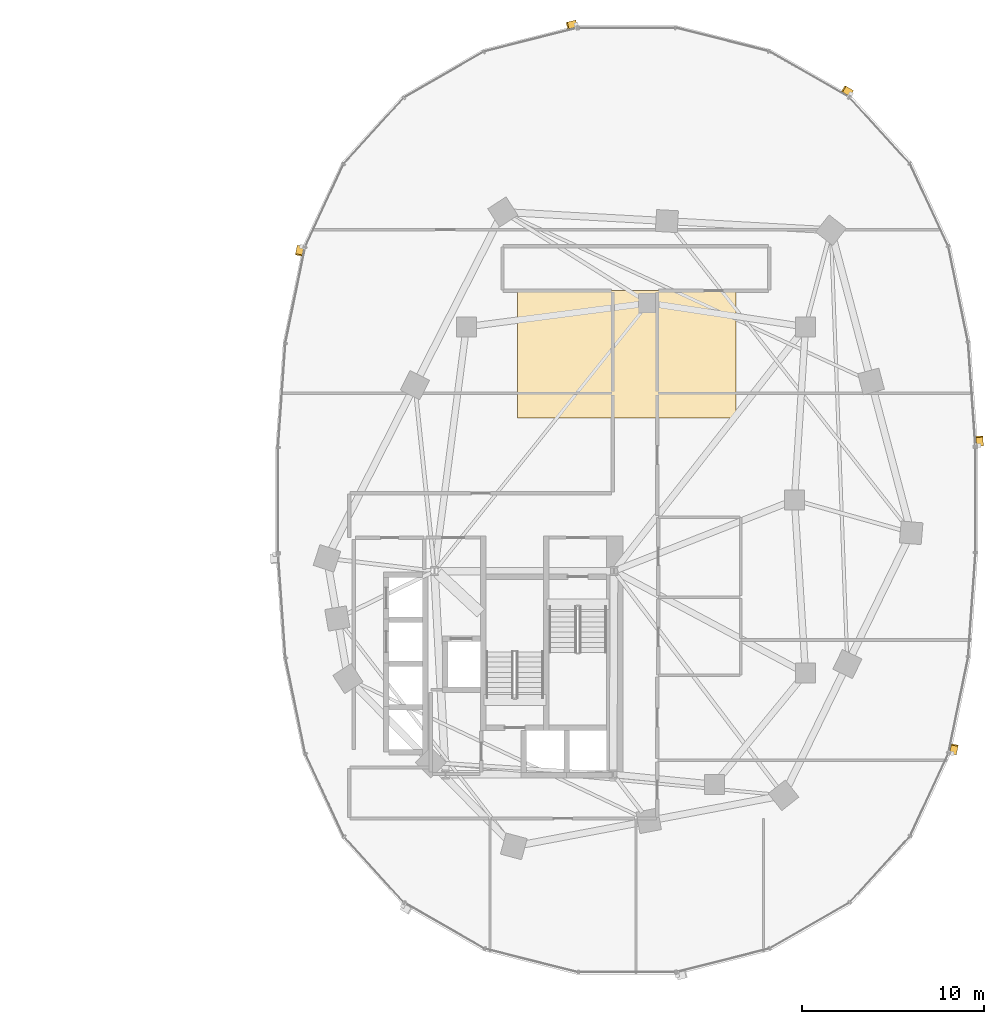
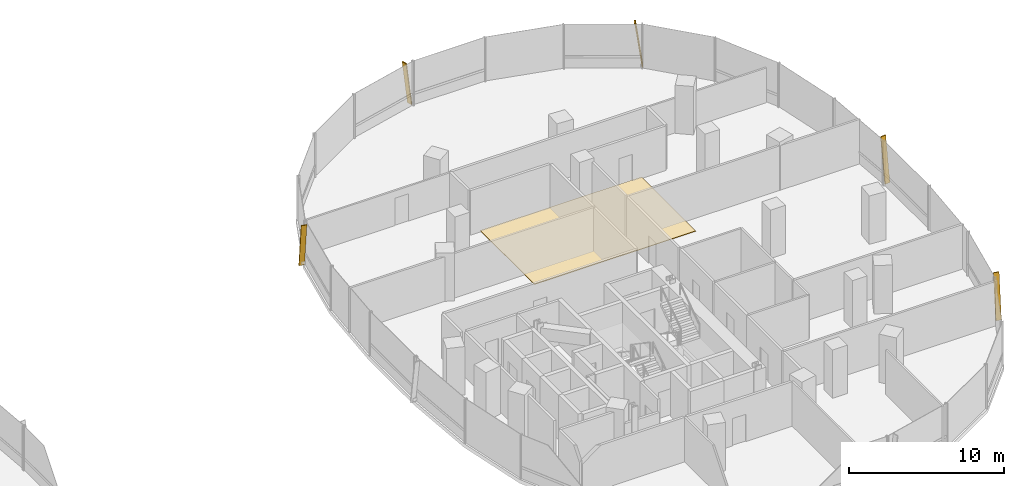
# One storey, part 21 of 21: 5 shading devices, 1 covering.
"""IFC4 building model written with IfcOpenShell, lengths in metres."""

from ifc_helpers import new_model, si_unit, direction, frame, origin, origin_2d, place, context, subcontext, project, spatial, polyline, rectangle, outline, extrude, material, layer, layer_set, material_profile, profile_set, type_object, element, save


model = new_model("IFC4")

# Units and contexts
model_context = context("Model", 3, precision=1e-05, world=origin(), true_north=direction((0.0, 1.0)))
body_context = subcontext(model_context, "Body", "Model", "MODEL_VIEW")
ifc_project = project(units=[si_unit("LENGTHUNIT", "METRE"), si_unit("AREAUNIT", "SQUARE_METRE"), si_unit("VOLUMEUNIT", "CUBIC_METRE"), si_unit("PLANEANGLEUNIT", "RADIAN"), si_unit("MASSUNIT", "GRAM", prefix="KILO"), si_unit("THERMODYNAMICTEMPERATUREUNIT", "KELVIN"), si_unit("POWERUNIT", "WATT")], contexts=[model_context])

# Site, building, storey
site_placement = place(None, origin())
site = spatial("IfcSite", under=ifc_project, at=site_placement, CompositionType="ELEMENT")
building_placement = place(site_placement, origin())
building = spatial("IfcBuilding", under=site, at=building_placement, Name="Cundina Bronze Exchange", CompositionType="ELEMENT")
storey_placement = place(building_placement, frame((0.0, 0.0, 58.199951171875)))
storey = spatial("IfcBuildingStorey", under=building, at=storey_placement, Name="L14", CompositionType="ELEMENT", Elevation=58.199951171875)

# Covering
ifc_material_1 = material(Name="Raised Access Steel-Cementitious Floor Panel 40mm", Category="steel")
ifc_layer = layer(ifc_material_1, 0.0400390625, Name="Raised Access Steel-Cementitious Floor Panel 40mm", Category="steel")
ifc_layer_set = layer_set([ifc_layer], Name="Raised Access Steel-Cementitious Floor Panel 40mm")
covering_type = type_object("IfcCoveringType", Name="COV-FLR-RAF40", PredefinedType="FLOORING", material=ifc_layer_set)
covering_placement = place(storey_placement, origin())
element("IfcCovering", 1, at=covering_placement, inside=storey, type_object=covering_type, Name="L14 E UFAD Raised Access Trading Floor", PredefinedType="FLOORING", context=body_context, shape_type="SweptSolid", body=[
    extrude(outline(polyline([(26.0, 4.5), (38.0, 4.5), (38.0, 11.5), (26.0, 11.5), (26.0, 4.5)])), origin(), (0.0, 0.0, 1.0), 0.0400390625),
])

# Shading devices
ifc_material_2 = material(Name="Anodised Bronze Aluminium 6063-T6", Category="aluminium")
ifc_material_profile = material_profile(ifc_material_2, rectangle(XDim=0.070068359375, YDim=0.3798828125, at=origin_2d()), Name="FIN70X380", Category="aluminium")
ifc_profile_set = profile_set([ifc_material_profile], Name="Anodised Bronze Aluminium 6063-T6")
shading_device_type = type_object("IfcShadingDeviceType", Name="SHD-FIN-BRZ380", PredefinedType="USERDEFINED", material=ifc_profile_set)
for number, where, z_axis, x_axis, name in (
    (2, (51.3740234375, 2.993896484375, 0.02001953125), (-0.009645159174, 0.137059109714, 0.990515911709), (0.06953288269, -0.988072340253, 0.137398066402), "L14 Diagonal Bronze Solar Fin 1"),
    (3, (44.314208984375, 22.314208984375, 0.02001953125), (-0.119166378275, 0.06842456559, 0.990513731915), (0.85898178632, -0.493221799887, 0.137413779831), "L14 Diagonal Bronze Solar Fin 5"),
    (4, (29.212646484375, 26.138427734375, 0.02001953125), (-0.133214830938, -0.033688115694, 0.990514472221), (0.960284642503, 0.242842181368, 0.137408443412), "L14 Diagonal Bronze Solar Fin 1"),
    (5, (14.10400390625, 13.911865234375, 0.02001953125), (-0.027747134956, -0.134612045151, 0.990509815096), (0.199966585563, 0.970114971774, 0.137442010309), "L14 Diagonal Bronze Solar Fin 5"),
    (6, (49.89599609375, -13.911865234375, 0.02001953125), (0.027747134956, 0.134612045151, 0.990509815096), (-0.199966585563, -0.970114971774, 0.137442010309), "L14 Diagonal Bronze Solar Fin 5"),
):
    element("IfcShadingDevice", number, at=place(storey_placement, frame(where, z_axis=z_axis, x_axis=x_axis)), inside=storey, type_object=shading_device_type, Name=name, ObjectType="FIN", PredefinedType="USERDEFINED", context=body_context, shape_type="SweptSolid", body=[
        extrude(rectangle(XDim=0.070068359375, YDim=0.3798828125, at=origin_2d()), origin(), (0.0, 0.0, 1.0), 3.4931640625),
    ])

save(model, "model.ifc")
